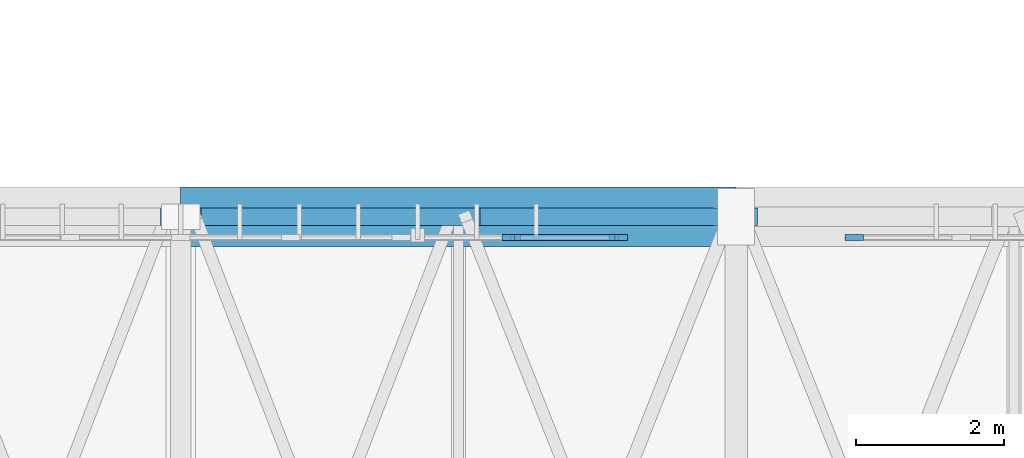
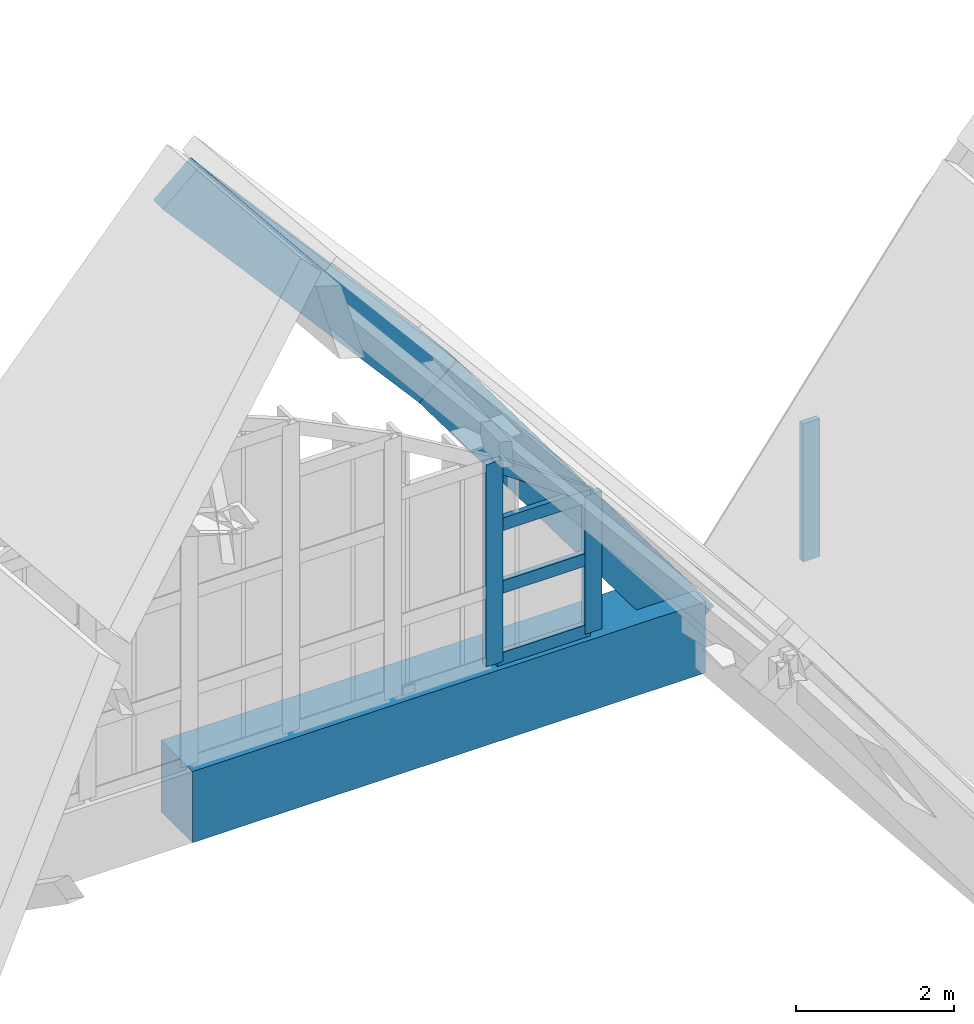
# One storey, part 48 of 93: 7 members, 3 beams, 2 elements without a shape of their own.
"""IFC4 building model written with IfcOpenShell, lengths in metres."""

from ifc_helpers import new_model, si_unit, direction, frame, origin, origin_2d, place, context, subcontext, project, spatial, rectangle, extrude, material, material_profile, profile_set, type_object, element, aggregate, save


model = new_model("IFC4")

# Units and contexts
model_context = context("Model", 3, precision=1e-05, world=origin(), true_north=direction((0.0, 1.0)))
body_context = subcontext(model_context, "Body", "Model", "MODEL_VIEW")
ifc_project = project(units=[si_unit("LENGTHUNIT", "METRE"), si_unit("AREAUNIT", "SQUARE_METRE"), si_unit("VOLUMEUNIT", "CUBIC_METRE"), si_unit("PLANEANGLEUNIT", "RADIAN"), si_unit("MASSUNIT", "GRAM", prefix="KILO")], contexts=[model_context])

# Site, building, storey
site_placement = place(None, origin())
site = spatial("IfcSite", under=ifc_project, at=site_placement, CompositionType="ELEMENT")
building_placement = place(site_placement, origin())
building = spatial("IfcBuilding", under=site, at=building_placement, Name="Vourika Railside Aquatics Centre", CompositionType="ELEMENT")
storey_placement = place(building_placement, frame((0.0, 0.0, 21.89990234375)))
storey = spatial("IfcBuildingStorey", under=building, at=storey_placement, Name="Roof", CompositionType="ELEMENT", Elevation=21.89990234375)

# Beams
ifc_material_1 = material(Name="Glulam GL32h", Category="wood")
ifc_material_profile_1 = material_profile(ifc_material_1, rectangle(XDim=0.239990234375, YDim=0.719970703125, at=origin_2d()), Name="GL32h 240x720")
ifc_profile_set_1 = profile_set([ifc_material_profile_1], Name="Glulam GL32h")
beam_type_1 = type_object("IfcBeamType", Name="BM-GL-ARCH-240x720", PredefinedType="BEAM", material=ifc_profile_set_1)
beam_1_placement = place(storey_placement, frame((118.5, 66.0, -2.2998046875), z_axis=(0.657258623263, 0.0, -0.75366511273), x_axis=(0.0, 1.0, 0.0)))
element("IfcBeam", 1, at=beam_1_placement, inside=storey, type_object=beam_type_1, Name="Pointed Glulam Vault Arch Rib GAR-0197", PredefinedType="BEAM", context=body_context, shape_type="SweptSolid", body=[
    extrude(rectangle(XDim=0.239990234375, YDim=0.719970703125, at=origin_2d()), origin(), (0.0, 0.0, 1.0), 5.70556640625),
])
beam_2_placement = place(storey_placement, frame((122.25, 66.0, -6.599853515625), z_axis=(0.592383087934, 0.0, -0.805656426233), x_axis=(0.0, 1.0, 0.0)))
element("IfcBeam", 2, at=beam_2_placement, inside=storey, type_object=beam_type_1, Name="Pointed Glulam Vault Arch Rib GAR-0198", PredefinedType="BEAM", context=body_context, shape_type="SweptSolid", body=[
    extrude(rectangle(XDim=0.239990234375, YDim=0.719970703125, at=origin_2d()), origin(), (0.0, 0.0, 1.0), 6.330322265625),
])
ifc_material_2 = material(Name="Concrete C40/50", Category="concrete")
ifc_material_profile_2 = material_profile(ifc_material_2, rectangle(XDim=0.800048828125, YDim=1.10009765625, at=origin_2d()), Name="RC 800x1100")
ifc_profile_set_2 = profile_set([ifc_material_profile_2], Name="Concrete C40/50")
beam_type_2 = type_object("IfcBeamType", Name="BM-RING-800x1100", PredefinedType="BEAM", material=ifc_profile_set_2)
beam_3_placement = place(storey_placement, frame((118.5, 66.0, -11.699951171875), z_axis=(1.0, 0.0, 0.0), x_axis=(0.0, 1.0, 0.0)))
element("IfcBeam", 3, at=beam_3_placement, inside=storey, type_object=beam_type_2, Name="Vault Springing Ring Beam N (118.5-126.0)", PredefinedType="BEAM", context=body_context, shape_type="SweptSolid", body=[
    extrude(rectangle(XDim=0.800048828125, YDim=1.10009765625, at=origin_2d()), origin(), (0.0, 0.0, 1.0), 7.5),
])

# Curtain wall, members
ifc_material_3 = material(Name="Anodized thermally broken aluminium", Category="aluminium")
curtain_wall_type = type_object("IfcCurtainWallType", Name="CW-VLTN1", PredefinedType="NOTDEFINED", material=ifc_material_3)
curtain_wall_1_placement = place(storey_placement, origin())
curtain_wall_1 = element("IfcCurtainWall", 4, at=curtain_wall_1_placement, inside=storey, type_object=curtain_wall_type, Name="North Courtyard Pointed-Arch Curtain Wall Bay 6", PredefinedType="NOTDEFINED")
ifc_material_4 = material(Name="Anodized aluminium mullion", Category="aluminium")
ifc_material_profile_3 = material_profile(ifc_material_4, rectangle(XDim=0.0849609375, YDim=0.25, at=origin_2d()), Name="ALU-M 85x250")
ifc_profile_set_3 = profile_set([ifc_material_profile_3], Name="Anodized aluminium mullion")
member_type_1 = type_object("IfcMemberType", Name="CWM-VLTN1", PredefinedType="MULLION", material=ifc_profile_set_3)
member_1_placement = place(storey_placement, frame((124.407470703125, 65.719970703125, -11.099853515625), z_axis=(0.0, 0.0, 1.0), x_axis=(0.0, -1.0, 0.0)))
member_1 = element("IfcMember", 5, at=member_1_placement, type_object=member_type_1, Name="CW01 arch mullion 1", PredefinedType="MULLION", context=body_context, shape_type="SweptSolid", body=[
    extrude(rectangle(XDim=0.0849609375, YDim=0.25, at=origin_2d()), origin(), (0.0, 0.0, 1.0), 2.130859375),
])
member_2_placement = place(storey_placement, frame((122.96240234375, 65.719970703125, -11.099853515625), z_axis=(0.0, 0.0, 1.0), x_axis=(0.0, -1.0, 0.0)))
member_2 = element("IfcMember", 6, at=member_2_placement, type_object=member_type_1, Name="CW01 arch mullion 2", PredefinedType="MULLION", context=body_context, shape_type="SweptSolid", body=[
    extrude(rectangle(XDim=0.0849609375, YDim=0.25, at=origin_2d()), origin(), (0.0, 0.0, 1.0), 3.1259765625),
])

# Curtain wall, member
curtain_wall_2_placement = place(storey_placement, origin())
curtain_wall_2 = element("IfcCurtainWall", 7, at=curtain_wall_2_placement, inside=storey, type_object=curtain_wall_type, Name="North Courtyard Pointed-Arch Curtain Wall Bay 7", PredefinedType="NOTDEFINED")
member_3_placement = place(storey_placement, frame((127.592529296875, 65.719970703125, -11.099853515625), z_axis=(0.0, 0.0, 1.0), x_axis=(0.0, -1.0, 0.0)))
member_3 = element("IfcMember", 8, at=member_3_placement, type_object=member_type_1, Name="CW01 arch mullion 9", PredefinedType="MULLION", context=body_context, shape_type="SweptSolid", body=[
    extrude(rectangle(XDim=0.0849609375, YDim=0.25, at=origin_2d()), origin(), (0.0, 0.0, 1.0), 2.130859375),
])
aggregate(curtain_wall_2, [member_3])

# Member
ifc_material_5 = material(Name="Anodized aluminium transom", Category="aluminium")
ifc_material_profile_4 = material_profile(ifc_material_5, rectangle(XDim=0.0849609375, YDim=0.195068359375, at=origin_2d()), Name="ALU-T 85x195")
ifc_profile_set_4 = profile_set([ifc_material_profile_4], Name="Anodized aluminium transom")
member_type_2 = type_object("IfcMemberType", Name="CWT-VLTN1", PredefinedType="USERDEFINED", material=ifc_profile_set_4)
member_4_placement = place(storey_placement, frame((124.364990234375, 65.719970703125, -11.057373046875), z_axis=(-1.0, 0.0, 0.0), x_axis=(0.0, -1.0, 0.0)))
member_4 = element("IfcMember", 9, at=member_4_placement, type_object=member_type_2, Name="CW01 transom 1.1", ObjectType="TRANSOM", PredefinedType="USERDEFINED", context=body_context, shape_type="SweptSolid", body=[
    extrude(rectangle(XDim=0.0849609375, YDim=0.195068359375, at=origin_2d()), origin(), (0.0, 0.0, 1.0), 1.360107421875),
])

member_5_placement = place(storey_placement, frame((124.364990234375, 65.719970703125, -9.949951171875), z_axis=(-1.0, 0.0, 0.0), x_axis=(0.0, -1.0, 0.0)))
member_5 = element("IfcMember", 10, at=member_5_placement, type_object=member_type_2, Name="CW01 transom 1.2", ObjectType="TRANSOM", PredefinedType="USERDEFINED", context=body_context, shape_type="SweptSolid", body=[
    extrude(rectangle(XDim=0.0849609375, YDim=0.195068359375, at=origin_2d()), origin(), (0.0, 0.0, 1.0), 1.360107421875),
])

member_6_placement = place(storey_placement, frame((124.364990234375, 65.719970703125, -8.98046875), z_axis=(-1.0, 0.0, 0.0), x_axis=(0.0, -1.0, 0.0)))
member_6 = element("IfcMember", 11, at=member_6_placement, type_object=member_type_2, Name="CW01 transom 1.3", ObjectType="TRANSOM", PredefinedType="USERDEFINED", context=body_context, shape_type="SweptSolid", body=[
    extrude(rectangle(XDim=0.0849609375, YDim=0.195068359375, at=origin_2d()), origin(), (0.0, 0.0, 1.0), 1.360107421875),
])

member_7_placement = place(storey_placement, frame((124.364990234375, 65.719970703125, -8.98046875), z_axis=(-0.823770019809, 0.0, 0.566924117025), x_axis=(0.0, -1.0, 0.0)))
member_7 = element("IfcMember", 12, at=member_7_placement, type_object=member_type_2, Name="CW01 arch chord transom 1", ObjectType="TRANSOM", PredefinedType="USERDEFINED", context=body_context, shape_type="SweptSolid", body=[
    extrude(rectangle(XDim=0.0849609375, YDim=0.195068359375, at=origin_2d()), origin(), (0.0, 0.0, 1.0), 1.651123046875),
])

aggregate(curtain_wall_1, [member_1, member_2, member_4, member_5, member_6, member_7])

save(model, "model.ifc")
